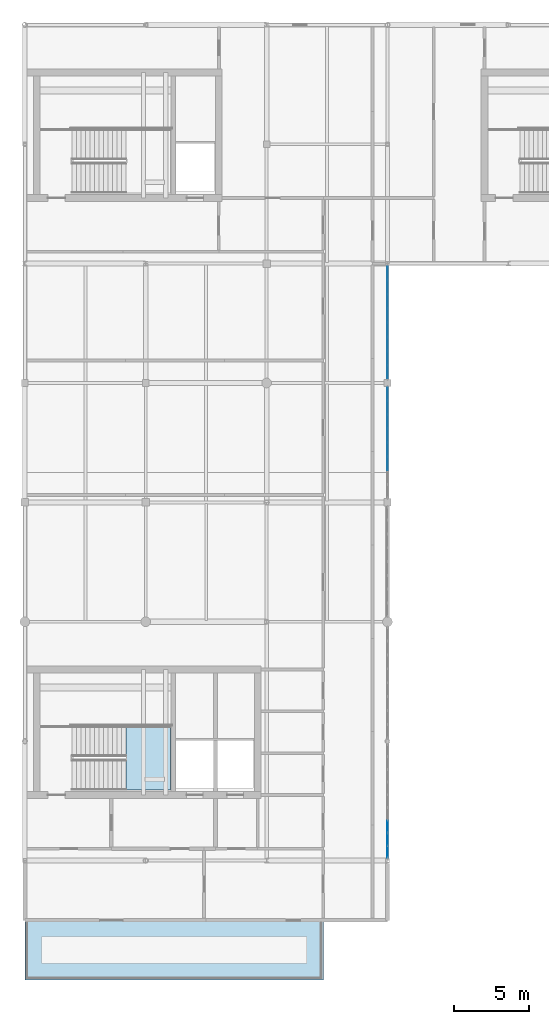
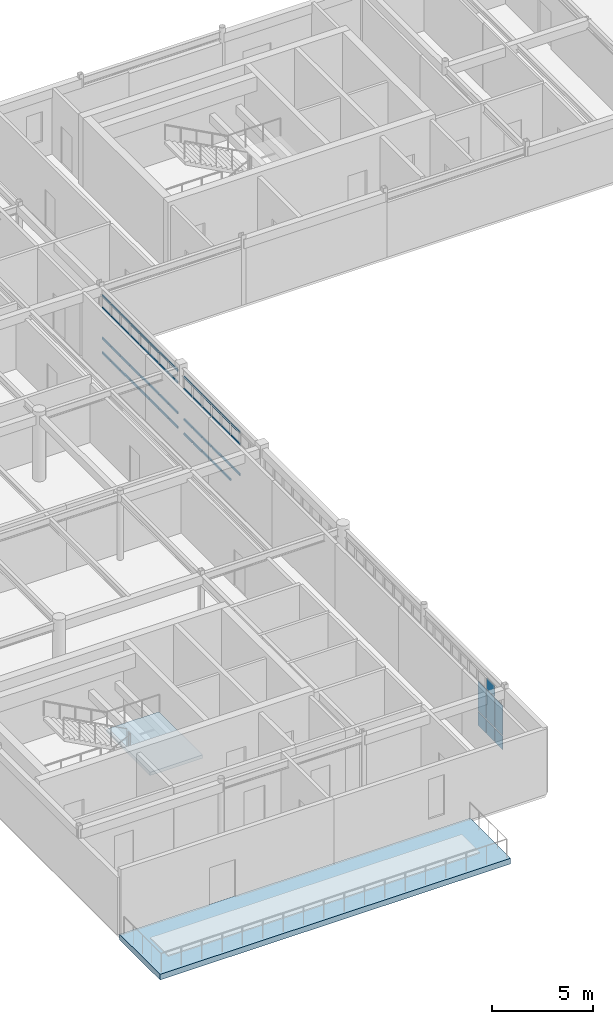
# One storey, part 8 of 18: 55 members, 7 plates, 2 slabs, 4 elements without a shape of their own.
"""IFC4 building model written with IfcOpenShell, lengths in metres."""

from ifc_helpers import new_model, si_unit, direction, frame, origin, origin_2d, place, context, subcontext, project, spatial, polyline, rectangle, outline, extrude, material, layer, layer_set, material_profile, profile_set, type_object, element, aggregate, save


model = new_model("IFC4")

# Units and contexts
model_context = context("Model", 3, precision=1e-05, world=origin(), true_north=direction((0.0, 1.0)))
body_context = subcontext(model_context, "Body", "Model", "MODEL_VIEW")
ifc_project = project(units=[si_unit("LENGTHUNIT", "METRE"), si_unit("AREAUNIT", "SQUARE_METRE"), si_unit("VOLUMEUNIT", "CUBIC_METRE"), si_unit("PLANEANGLEUNIT", "RADIAN"), si_unit("MASSUNIT", "GRAM", prefix="KILO")], contexts=[model_context])

# Site, building, storey
site_placement = place(None, origin())
site = spatial("IfcSite", under=ifc_project, at=site_placement, CompositionType="ELEMENT")
building_placement = place(site_placement, origin())
building = spatial("IfcBuilding", under=site, at=building_placement, Name="Tarnveldt Square Police Headquarters", CompositionType="ELEMENT")
storey_placement = place(building_placement, frame((0.0, 0.0, 29.10009765625)))
storey = spatial("IfcBuildingStorey", under=building, at=storey_placement, Name="L06", CompositionType="ELEMENT", Elevation=29.10009765625)

# Curtain wall, members
ifc_material_1 = material(Name="Triple-glazed low-e laminated vision glass", Category="glass")
curtain_wall_type_1 = type_object("IfcCurtainWallType", Name="CW-UP-750x349", PredefinedType="USERDEFINED", material=ifc_material_1)
curtain_wall_1_placement = place(storey_placement, origin())
curtain_wall_1 = element("IfcCurtainWall", 1, at=curtain_wall_1_placement, inside=storey, type_object=curtain_wall_type_1, Name="L06 Curtain Wall CW-L06-092", ObjectType="GLAZED CURTAIN WALL", PredefinedType="USERDEFINED")
ifc_material_2 = material(Name="Thermally broken anodised aluminium 6063-T6", Category="aluminium")
ifc_material_profile = material_profile(ifc_material_2, rectangle(XDim=0.06494140625, YDim=0.1201171875, at=origin_2d()), Name="CW-T65x120")
ifc_profile_set = profile_set([ifc_material_profile], Name="Thermally broken anodised aluminium 6063-T6")
member_type = type_object("IfcMemberType", Name="CWT-65x120", PredefinedType="USERDEFINED", material=ifc_profile_set)
member_1_placement = place(storey_placement, frame((40.5, 82.171142578125, 0.89990234375), z_axis=(0.0, 1.0, 0.0), x_axis=(-1.0, 0.0, 0.0)))
member_1 = element("IfcMember", 2, at=member_1_placement, type_object=member_type, Name="CW-UP49 transom 3.2", ObjectType="TRANSOM", PredefinedType="USERDEFINED", context=body_context, shape_type="SweptSolid", body=[
    extrude(rectangle(XDim=0.06494140625, YDim=0.1201171875, at=origin_2d()), origin(), (0.0, 0.0, 1.0), 0.8720703125),
])
member_2_placement = place(storey_placement, frame((40.5, 82.171142578125, 2.739013671875), z_axis=(0.0, 1.0, 0.0), x_axis=(-1.0, 0.0, 0.0)))
member_2 = element("IfcMember", 3, at=member_2_placement, type_object=member_type, Name="CW-UP49 transom 3.3", ObjectType="TRANSOM", PredefinedType="USERDEFINED", context=body_context, shape_type="SweptSolid", body=[
    extrude(rectangle(XDim=0.06494140625, YDim=0.1201171875, at=origin_2d()), origin(), (0.0, 0.0, 1.0), 0.8720703125),
])
member_3_placement = place(storey_placement, frame((40.5, 82.171142578125, 3.456298828125), z_axis=(0.0, 1.0, 0.0), x_axis=(-1.0, 0.0, 0.0)))
member_3 = element("IfcMember", 4, at=member_3_placement, type_object=member_type, Name="CW-UP49 transom 3.4", ObjectType="TRANSOM", PredefinedType="USERDEFINED", context=body_context, shape_type="SweptSolid", body=[
    extrude(rectangle(XDim=0.06494140625, YDim=0.1201171875, at=origin_2d()), origin(), (0.0, 0.0, 1.0), 0.8720703125),
])
member_4_placement = place(storey_placement, frame((40.5, 83.108154296875, 0.032470703125), z_axis=(0.0, 1.0, 0.0), x_axis=(-1.0, 0.0, 0.0)))
member_4 = element("IfcMember", 5, at=member_4_placement, type_object=member_type, Name="CW-UP49 transom 4.1", ObjectType="TRANSOM", PredefinedType="USERDEFINED", context=body_context, shape_type="SweptSolid", body=[
    extrude(rectangle(XDim=0.06494140625, YDim=0.1201171875, at=origin_2d()), origin(), (0.0, 0.0, 1.0), 0.871826171875),
])
member_5_placement = place(storey_placement, frame((40.5, 83.108154296875, 0.89990234375), z_axis=(0.0, 1.0, 0.0), x_axis=(-1.0, 0.0, 0.0)))
member_5 = element("IfcMember", 6, at=member_5_placement, type_object=member_type, Name="CW-UP49 transom 4.2", ObjectType="TRANSOM", PredefinedType="USERDEFINED", context=body_context, shape_type="SweptSolid", body=[
    extrude(rectangle(XDim=0.06494140625, YDim=0.1201171875, at=origin_2d()), origin(), (0.0, 0.0, 1.0), 0.871826171875),
])
member_6_placement = place(storey_placement, frame((40.5, 83.108154296875, 2.739013671875), z_axis=(0.0, 1.0, 0.0), x_axis=(-1.0, 0.0, 0.0)))
member_6 = element("IfcMember", 7, at=member_6_placement, type_object=member_type, Name="CW-UP49 transom 4.3", ObjectType="TRANSOM", PredefinedType="USERDEFINED", context=body_context, shape_type="SweptSolid", body=[
    extrude(rectangle(XDim=0.06494140625, YDim=0.1201171875, at=origin_2d()), origin(), (0.0, 0.0, 1.0), 0.871826171875),
])
member_7_placement = place(storey_placement, frame((40.5, 83.108154296875, 3.456298828125), z_axis=(0.0, 1.0, 0.0), x_axis=(-1.0, 0.0, 0.0)))
member_7 = element("IfcMember", 8, at=member_7_placement, type_object=member_type, Name="CW-UP49 transom 4.4", ObjectType="TRANSOM", PredefinedType="USERDEFINED", context=body_context, shape_type="SweptSolid", body=[
    extrude(rectangle(XDim=0.06494140625, YDim=0.1201171875, at=origin_2d()), origin(), (0.0, 0.0, 1.0), 0.871826171875),
])
member_8_placement = place(storey_placement, frame((40.5, 84.044921875, 0.032470703125), z_axis=(0.0, 1.0, 0.0), x_axis=(-1.0, 0.0, 0.0)))
member_8 = element("IfcMember", 9, at=member_8_placement, type_object=member_type, Name="CW-UP49 transom 5.1", ObjectType="TRANSOM", PredefinedType="USERDEFINED", context=body_context, shape_type="SweptSolid", body=[
    extrude(rectangle(XDim=0.06494140625, YDim=0.1201171875, at=origin_2d()), origin(), (0.0, 0.0, 1.0), 0.8720703125),
])
member_9_placement = place(storey_placement, frame((40.5, 84.044921875, 0.89990234375), z_axis=(0.0, 1.0, 0.0), x_axis=(-1.0, 0.0, 0.0)))
member_9 = element("IfcMember", 10, at=member_9_placement, type_object=member_type, Name="CW-UP49 transom 5.2", ObjectType="TRANSOM", PredefinedType="USERDEFINED", context=body_context, shape_type="SweptSolid", body=[
    extrude(rectangle(XDim=0.06494140625, YDim=0.1201171875, at=origin_2d()), origin(), (0.0, 0.0, 1.0), 0.8720703125),
])
member_10_placement = place(storey_placement, frame((40.5, 84.044921875, 2.739013671875), z_axis=(0.0, 1.0, 0.0), x_axis=(-1.0, 0.0, 0.0)))
member_10 = element("IfcMember", 11, at=member_10_placement, type_object=member_type, Name="CW-UP49 transom 5.3", ObjectType="TRANSOM", PredefinedType="USERDEFINED", context=body_context, shape_type="SweptSolid", body=[
    extrude(rectangle(XDim=0.06494140625, YDim=0.1201171875, at=origin_2d()), origin(), (0.0, 0.0, 1.0), 0.8720703125),
])
member_11_placement = place(storey_placement, frame((40.5, 84.044921875, 3.456298828125), z_axis=(0.0, 1.0, 0.0), x_axis=(-1.0, 0.0, 0.0)))
member_11 = element("IfcMember", 12, at=member_11_placement, type_object=member_type, Name="CW-UP49 transom 5.4", ObjectType="TRANSOM", PredefinedType="USERDEFINED", context=body_context, shape_type="SweptSolid", body=[
    extrude(rectangle(XDim=0.06494140625, YDim=0.1201171875, at=origin_2d()), origin(), (0.0, 0.0, 1.0), 0.8720703125),
])
member_12_placement = place(storey_placement, frame((40.5, 84.98193359375, 0.032470703125), z_axis=(0.0, 1.0, 0.0), x_axis=(-1.0, 0.0, 0.0)))
member_12 = element("IfcMember", 13, at=member_12_placement, type_object=member_type, Name="CW-UP49 transom 6.1", ObjectType="TRANSOM", PredefinedType="USERDEFINED", context=body_context, shape_type="SweptSolid", body=[
    extrude(rectangle(XDim=0.06494140625, YDim=0.1201171875, at=origin_2d()), origin(), (0.0, 0.0, 1.0), 0.871826171875),
])
member_13_placement = place(storey_placement, frame((40.5, 84.98193359375, 0.89990234375), z_axis=(0.0, 1.0, 0.0), x_axis=(-1.0, 0.0, 0.0)))
member_13 = element("IfcMember", 14, at=member_13_placement, type_object=member_type, Name="CW-UP49 transom 6.2", ObjectType="TRANSOM", PredefinedType="USERDEFINED", context=body_context, shape_type="SweptSolid", body=[
    extrude(rectangle(XDim=0.06494140625, YDim=0.1201171875, at=origin_2d()), origin(), (0.0, 0.0, 1.0), 0.871826171875),
])
member_14_placement = place(storey_placement, frame((40.5, 84.98193359375, 2.739013671875), z_axis=(0.0, 1.0, 0.0), x_axis=(-1.0, 0.0, 0.0)))
member_14 = element("IfcMember", 15, at=member_14_placement, type_object=member_type, Name="CW-UP49 transom 6.3", ObjectType="TRANSOM", PredefinedType="USERDEFINED", context=body_context, shape_type="SweptSolid", body=[
    extrude(rectangle(XDim=0.06494140625, YDim=0.1201171875, at=origin_2d()), origin(), (0.0, 0.0, 1.0), 0.871826171875),
])
member_15_placement = place(storey_placement, frame((40.5, 84.98193359375, 3.456298828125), z_axis=(0.0, 1.0, 0.0), x_axis=(-1.0, 0.0, 0.0)))
member_15 = element("IfcMember", 16, at=member_15_placement, type_object=member_type, Name="CW-UP49 transom 6.4", ObjectType="TRANSOM", PredefinedType="USERDEFINED", context=body_context, shape_type="SweptSolid", body=[
    extrude(rectangle(XDim=0.06494140625, YDim=0.1201171875, at=origin_2d()), origin(), (0.0, 0.0, 1.0), 0.871826171875),
])
member_16_placement = place(storey_placement, frame((40.5, 85.918701171875, 0.032470703125), z_axis=(0.0, 1.0, 0.0), x_axis=(-1.0, 0.0, 0.0)))
member_16 = element("IfcMember", 17, at=member_16_placement, type_object=member_type, Name="CW-UP49 transom 7.1", ObjectType="TRANSOM", PredefinedType="USERDEFINED", context=body_context, shape_type="SweptSolid", body=[
    extrude(rectangle(XDim=0.06494140625, YDim=0.1201171875, at=origin_2d()), origin(), (0.0, 0.0, 1.0), 0.871826171875),
])
member_17_placement = place(storey_placement, frame((40.5, 85.918701171875, 0.89990234375), z_axis=(0.0, 1.0, 0.0), x_axis=(-1.0, 0.0, 0.0)))
member_17 = element("IfcMember", 18, at=member_17_placement, type_object=member_type, Name="CW-UP49 transom 7.2", ObjectType="TRANSOM", PredefinedType="USERDEFINED", context=body_context, shape_type="SweptSolid", body=[
    extrude(rectangle(XDim=0.06494140625, YDim=0.1201171875, at=origin_2d()), origin(), (0.0, 0.0, 1.0), 0.871826171875),
])
member_18_placement = place(storey_placement, frame((40.5, 85.918701171875, 2.739013671875), z_axis=(0.0, 1.0, 0.0), x_axis=(-1.0, 0.0, 0.0)))
member_18 = element("IfcMember", 19, at=member_18_placement, type_object=member_type, Name="CW-UP49 transom 7.3", ObjectType="TRANSOM", PredefinedType="USERDEFINED", context=body_context, shape_type="SweptSolid", body=[
    extrude(rectangle(XDim=0.06494140625, YDim=0.1201171875, at=origin_2d()), origin(), (0.0, 0.0, 1.0), 0.871826171875),
])
member_19_placement = place(storey_placement, frame((40.5, 85.918701171875, 3.456298828125), z_axis=(0.0, 1.0, 0.0), x_axis=(-1.0, 0.0, 0.0)))
member_19 = element("IfcMember", 20, at=member_19_placement, type_object=member_type, Name="CW-UP49 transom 7.4", ObjectType="TRANSOM", PredefinedType="USERDEFINED", context=body_context, shape_type="SweptSolid", body=[
    extrude(rectangle(XDim=0.06494140625, YDim=0.1201171875, at=origin_2d()), origin(), (0.0, 0.0, 1.0), 0.871826171875),
])
member_20_placement = place(storey_placement, frame((40.5, 86.855712890625, 0.032470703125), z_axis=(0.0, 1.0, 0.0), x_axis=(-1.0, 0.0, 0.0)))
member_20 = element("IfcMember", 21, at=member_20_placement, type_object=member_type, Name="CW-UP49 transom 8.1", ObjectType="TRANSOM", PredefinedType="USERDEFINED", context=body_context, shape_type="SweptSolid", body=[
    extrude(rectangle(XDim=0.06494140625, YDim=0.1201171875, at=origin_2d()), origin(), (0.0, 0.0, 1.0), 0.83935546875),
])
member_21_placement = place(storey_placement, frame((40.5, 86.855712890625, 0.89990234375), z_axis=(0.0, 1.0, 0.0), x_axis=(-1.0, 0.0, 0.0)))
member_21 = element("IfcMember", 22, at=member_21_placement, type_object=member_type, Name="CW-UP49 transom 8.2", ObjectType="TRANSOM", PredefinedType="USERDEFINED", context=body_context, shape_type="SweptSolid", body=[
    extrude(rectangle(XDim=0.06494140625, YDim=0.1201171875, at=origin_2d()), origin(), (0.0, 0.0, 1.0), 0.83935546875),
])
member_22_placement = place(storey_placement, frame((40.5, 86.855712890625, 2.739013671875), z_axis=(0.0, 1.0, 0.0), x_axis=(-1.0, 0.0, 0.0)))
member_22 = element("IfcMember", 23, at=member_22_placement, type_object=member_type, Name="CW-UP49 transom 8.3", ObjectType="TRANSOM", PredefinedType="USERDEFINED", context=body_context, shape_type="SweptSolid", body=[
    extrude(rectangle(XDim=0.06494140625, YDim=0.1201171875, at=origin_2d()), origin(), (0.0, 0.0, 1.0), 0.83935546875),
])
member_23_placement = place(storey_placement, frame((40.5, 86.855712890625, 3.456298828125), z_axis=(0.0, 1.0, 0.0), x_axis=(-1.0, 0.0, 0.0)))
member_23 = element("IfcMember", 24, at=member_23_placement, type_object=member_type, Name="CW-UP49 transom 8.4", ObjectType="TRANSOM", PredefinedType="USERDEFINED", context=body_context, shape_type="SweptSolid", body=[
    extrude(rectangle(XDim=0.06494140625, YDim=0.1201171875, at=origin_2d()), origin(), (0.0, 0.0, 1.0), 0.83935546875),
])
aggregate(curtain_wall_1, [member_1, member_2, member_3, member_4, member_5, member_6, member_7, member_8, member_9, member_10, member_11, member_12, member_13, member_14, member_15, member_16, member_17, member_18, member_19, member_20, member_21, member_22, member_23])

curtain_wall_type_2 = type_object("IfcCurtainWallType", Name="CW-UP-762x349", PredefinedType="USERDEFINED", material=ifc_material_1)
curtain_wall_2_placement = place(storey_placement, origin())
curtain_wall_2 = element("IfcCurtainWall", 25, at=curtain_wall_2_placement, inside=storey, type_object=curtain_wall_type_2, Name="L06 Curtain Wall CW-L06-093", ObjectType="GLAZED CURTAIN WALL", PredefinedType="USERDEFINED")
member_24_placement = place(storey_placement, frame((40.5, 88.304931640625, 0.032470703125), z_axis=(0.0, 1.0, 0.0), x_axis=(-1.0, 0.0, 0.0)))
member_24 = element("IfcMember", 26, at=member_24_placement, type_object=member_type, Name="CW-UP50 transom 1.1", ObjectType="TRANSOM", PredefinedType="USERDEFINED", context=body_context, shape_type="SweptSolid", body=[
    extrude(rectangle(XDim=0.06494140625, YDim=0.1201171875, at=origin_2d()), origin(), (0.0, 0.0, 1.0), 0.8544921875),
])
member_25_placement = place(storey_placement, frame((40.5, 88.304931640625, 0.89990234375), z_axis=(0.0, 1.0, 0.0), x_axis=(-1.0, 0.0, 0.0)))
member_25 = element("IfcMember", 27, at=member_25_placement, type_object=member_type, Name="CW-UP50 transom 1.2", ObjectType="TRANSOM", PredefinedType="USERDEFINED", context=body_context, shape_type="SweptSolid", body=[
    extrude(rectangle(XDim=0.06494140625, YDim=0.1201171875, at=origin_2d()), origin(), (0.0, 0.0, 1.0), 0.8544921875),
])
member_26_placement = place(storey_placement, frame((40.5, 88.304931640625, 2.739013671875), z_axis=(0.0, 1.0, 0.0), x_axis=(-1.0, 0.0, 0.0)))
member_26 = element("IfcMember", 28, at=member_26_placement, type_object=member_type, Name="CW-UP50 transom 1.3", ObjectType="TRANSOM", PredefinedType="USERDEFINED", context=body_context, shape_type="SweptSolid", body=[
    extrude(rectangle(XDim=0.06494140625, YDim=0.1201171875, at=origin_2d()), origin(), (0.0, 0.0, 1.0), 0.8544921875),
])
member_27_placement = place(storey_placement, frame((40.5, 88.304931640625, 3.456298828125), z_axis=(0.0, 1.0, 0.0), x_axis=(-1.0, 0.0, 0.0)))
member_27 = element("IfcMember", 29, at=member_27_placement, type_object=member_type, Name="CW-UP50 transom 1.4", ObjectType="TRANSOM", PredefinedType="USERDEFINED", context=body_context, shape_type="SweptSolid", body=[
    extrude(rectangle(XDim=0.06494140625, YDim=0.1201171875, at=origin_2d()), origin(), (0.0, 0.0, 1.0), 0.8544921875),
])
member_28_placement = place(storey_placement, frame((40.5, 89.224365234375, 0.032470703125), z_axis=(0.0, 1.0, 0.0), x_axis=(-1.0, 0.0, 0.0)))
member_28 = element("IfcMember", 30, at=member_28_placement, type_object=member_type, Name="CW-UP50 transom 2.1", ObjectType="TRANSOM", PredefinedType="USERDEFINED", context=body_context, shape_type="SweptSolid", body=[
    extrude(rectangle(XDim=0.06494140625, YDim=0.1201171875, at=origin_2d()), origin(), (0.0, 0.0, 1.0), 0.886962890625),
])
member_29_placement = place(storey_placement, frame((40.5, 89.224365234375, 0.89990234375), z_axis=(0.0, 1.0, 0.0), x_axis=(-1.0, 0.0, 0.0)))
member_29 = element("IfcMember", 31, at=member_29_placement, type_object=member_type, Name="CW-UP50 transom 2.2", ObjectType="TRANSOM", PredefinedType="USERDEFINED", context=body_context, shape_type="SweptSolid", body=[
    extrude(rectangle(XDim=0.06494140625, YDim=0.1201171875, at=origin_2d()), origin(), (0.0, 0.0, 1.0), 0.886962890625),
])
member_30_placement = place(storey_placement, frame((40.5, 89.224365234375, 2.739013671875), z_axis=(0.0, 1.0, 0.0), x_axis=(-1.0, 0.0, 0.0)))
member_30 = element("IfcMember", 32, at=member_30_placement, type_object=member_type, Name="CW-UP50 transom 2.3", ObjectType="TRANSOM", PredefinedType="USERDEFINED", context=body_context, shape_type="SweptSolid", body=[
    extrude(rectangle(XDim=0.06494140625, YDim=0.1201171875, at=origin_2d()), origin(), (0.0, 0.0, 1.0), 0.886962890625),
])
member_31_placement = place(storey_placement, frame((40.5, 89.224365234375, 3.456298828125), z_axis=(0.0, 1.0, 0.0), x_axis=(-1.0, 0.0, 0.0)))
member_31 = element("IfcMember", 33, at=member_31_placement, type_object=member_type, Name="CW-UP50 transom 2.4", ObjectType="TRANSOM", PredefinedType="USERDEFINED", context=body_context, shape_type="SweptSolid", body=[
    extrude(rectangle(XDim=0.06494140625, YDim=0.1201171875, at=origin_2d()), origin(), (0.0, 0.0, 1.0), 0.886962890625),
])
member_32_placement = place(storey_placement, frame((40.5, 90.17626953125, 0.032470703125), z_axis=(0.0, 1.0, 0.0), x_axis=(-1.0, 0.0, 0.0)))
member_32 = element("IfcMember", 34, at=member_32_placement, type_object=member_type, Name="CW-UP50 transom 3.1", ObjectType="TRANSOM", PredefinedType="USERDEFINED", context=body_context, shape_type="SweptSolid", body=[
    extrude(rectangle(XDim=0.06494140625, YDim=0.1201171875, at=origin_2d()), origin(), (0.0, 0.0, 1.0), 0.886962890625),
])
member_33_placement = place(storey_placement, frame((40.5, 90.17626953125, 0.89990234375), z_axis=(0.0, 1.0, 0.0), x_axis=(-1.0, 0.0, 0.0)))
member_33 = element("IfcMember", 35, at=member_33_placement, type_object=member_type, Name="CW-UP50 transom 3.2", ObjectType="TRANSOM", PredefinedType="USERDEFINED", context=body_context, shape_type="SweptSolid", body=[
    extrude(rectangle(XDim=0.06494140625, YDim=0.1201171875, at=origin_2d()), origin(), (0.0, 0.0, 1.0), 0.886962890625),
])
member_34_placement = place(storey_placement, frame((40.5, 90.17626953125, 2.739013671875), z_axis=(0.0, 1.0, 0.0), x_axis=(-1.0, 0.0, 0.0)))
member_34 = element("IfcMember", 36, at=member_34_placement, type_object=member_type, Name="CW-UP50 transom 3.3", ObjectType="TRANSOM", PredefinedType="USERDEFINED", context=body_context, shape_type="SweptSolid", body=[
    extrude(rectangle(XDim=0.06494140625, YDim=0.1201171875, at=origin_2d()), origin(), (0.0, 0.0, 1.0), 0.886962890625),
])
member_35_placement = place(storey_placement, frame((40.5, 90.17626953125, 3.456298828125), z_axis=(0.0, 1.0, 0.0), x_axis=(-1.0, 0.0, 0.0)))
member_35 = element("IfcMember", 37, at=member_35_placement, type_object=member_type, Name="CW-UP50 transom 3.4", ObjectType="TRANSOM", PredefinedType="USERDEFINED", context=body_context, shape_type="SweptSolid", body=[
    extrude(rectangle(XDim=0.06494140625, YDim=0.1201171875, at=origin_2d()), origin(), (0.0, 0.0, 1.0), 0.886962890625),
])
member_36_placement = place(storey_placement, frame((40.5, 91.128173828125, 0.032470703125), z_axis=(0.0, 1.0, 0.0), x_axis=(-1.0, 0.0, 0.0)))
member_36 = element("IfcMember", 38, at=member_36_placement, type_object=member_type, Name="CW-UP50 transom 4.1", ObjectType="TRANSOM", PredefinedType="USERDEFINED", context=body_context, shape_type="SweptSolid", body=[
    extrude(rectangle(XDim=0.06494140625, YDim=0.1201171875, at=origin_2d()), origin(), (0.0, 0.0, 1.0), 0.88671875),
])
member_37_placement = place(storey_placement, frame((40.5, 91.128173828125, 0.89990234375), z_axis=(0.0, 1.0, 0.0), x_axis=(-1.0, 0.0, 0.0)))
member_37 = element("IfcMember", 39, at=member_37_placement, type_object=member_type, Name="CW-UP50 transom 4.2", ObjectType="TRANSOM", PredefinedType="USERDEFINED", context=body_context, shape_type="SweptSolid", body=[
    extrude(rectangle(XDim=0.06494140625, YDim=0.1201171875, at=origin_2d()), origin(), (0.0, 0.0, 1.0), 0.88671875),
])
member_38_placement = place(storey_placement, frame((40.5, 91.128173828125, 2.739013671875), z_axis=(0.0, 1.0, 0.0), x_axis=(-1.0, 0.0, 0.0)))
member_38 = element("IfcMember", 40, at=member_38_placement, type_object=member_type, Name="CW-UP50 transom 4.3", ObjectType="TRANSOM", PredefinedType="USERDEFINED", context=body_context, shape_type="SweptSolid", body=[
    extrude(rectangle(XDim=0.06494140625, YDim=0.1201171875, at=origin_2d()), origin(), (0.0, 0.0, 1.0), 0.88671875),
])
member_39_placement = place(storey_placement, frame((40.5, 91.128173828125, 3.456298828125), z_axis=(0.0, 1.0, 0.0), x_axis=(-1.0, 0.0, 0.0)))
member_39 = element("IfcMember", 41, at=member_39_placement, type_object=member_type, Name="CW-UP50 transom 4.4", ObjectType="TRANSOM", PredefinedType="USERDEFINED", context=body_context, shape_type="SweptSolid", body=[
    extrude(rectangle(XDim=0.06494140625, YDim=0.1201171875, at=origin_2d()), origin(), (0.0, 0.0, 1.0), 0.88671875),
])
member_40_placement = place(storey_placement, frame((40.5, 92.080078125, 0.032470703125), z_axis=(0.0, 1.0, 0.0), x_axis=(-1.0, 0.0, 0.0)))
member_40 = element("IfcMember", 42, at=member_40_placement, type_object=member_type, Name="CW-UP50 transom 5.1", ObjectType="TRANSOM", PredefinedType="USERDEFINED", context=body_context, shape_type="SweptSolid", body=[
    extrude(rectangle(XDim=0.06494140625, YDim=0.1201171875, at=origin_2d()), origin(), (0.0, 0.0, 1.0), 0.88671875),
])
member_41_placement = place(storey_placement, frame((40.5, 92.080078125, 0.89990234375), z_axis=(0.0, 1.0, 0.0), x_axis=(-1.0, 0.0, 0.0)))
member_41 = element("IfcMember", 43, at=member_41_placement, type_object=member_type, Name="CW-UP50 transom 5.2", ObjectType="TRANSOM", PredefinedType="USERDEFINED", context=body_context, shape_type="SweptSolid", body=[
    extrude(rectangle(XDim=0.06494140625, YDim=0.1201171875, at=origin_2d()), origin(), (0.0, 0.0, 1.0), 0.88671875),
])
member_42_placement = place(storey_placement, frame((40.5, 92.080078125, 2.739013671875), z_axis=(0.0, 1.0, 0.0), x_axis=(-1.0, 0.0, 0.0)))
member_42 = element("IfcMember", 44, at=member_42_placement, type_object=member_type, Name="CW-UP50 transom 5.3", ObjectType="TRANSOM", PredefinedType="USERDEFINED", context=body_context, shape_type="SweptSolid", body=[
    extrude(rectangle(XDim=0.06494140625, YDim=0.1201171875, at=origin_2d()), origin(), (0.0, 0.0, 1.0), 0.88671875),
])
member_43_placement = place(storey_placement, frame((40.5, 92.080078125, 3.456298828125), z_axis=(0.0, 1.0, 0.0), x_axis=(-1.0, 0.0, 0.0)))
member_43 = element("IfcMember", 45, at=member_43_placement, type_object=member_type, Name="CW-UP50 transom 5.4", ObjectType="TRANSOM", PredefinedType="USERDEFINED", context=body_context, shape_type="SweptSolid", body=[
    extrude(rectangle(XDim=0.06494140625, YDim=0.1201171875, at=origin_2d()), origin(), (0.0, 0.0, 1.0), 0.88671875),
])
member_44_placement = place(storey_placement, frame((40.5, 93.031982421875, 0.032470703125), z_axis=(0.0, 1.0, 0.0), x_axis=(-1.0, 0.0, 0.0)))
member_44 = element("IfcMember", 46, at=member_44_placement, type_object=member_type, Name="CW-UP50 transom 6.1", ObjectType="TRANSOM", PredefinedType="USERDEFINED", context=body_context, shape_type="SweptSolid", body=[
    extrude(rectangle(XDim=0.06494140625, YDim=0.1201171875, at=origin_2d()), origin(), (0.0, 0.0, 1.0), 0.88671875),
])
member_45_placement = place(storey_placement, frame((40.5, 93.031982421875, 0.89990234375), z_axis=(0.0, 1.0, 0.0), x_axis=(-1.0, 0.0, 0.0)))
member_45 = element("IfcMember", 47, at=member_45_placement, type_object=member_type, Name="CW-UP50 transom 6.2", ObjectType="TRANSOM", PredefinedType="USERDEFINED", context=body_context, shape_type="SweptSolid", body=[
    extrude(rectangle(XDim=0.06494140625, YDim=0.1201171875, at=origin_2d()), origin(), (0.0, 0.0, 1.0), 0.88671875),
])
member_46_placement = place(storey_placement, frame((40.5, 93.031982421875, 2.739013671875), z_axis=(0.0, 1.0, 0.0), x_axis=(-1.0, 0.0, 0.0)))
member_46 = element("IfcMember", 48, at=member_46_placement, type_object=member_type, Name="CW-UP50 transom 6.3", ObjectType="TRANSOM", PredefinedType="USERDEFINED", context=body_context, shape_type="SweptSolid", body=[
    extrude(rectangle(XDim=0.06494140625, YDim=0.1201171875, at=origin_2d()), origin(), (0.0, 0.0, 1.0), 0.88671875),
])
member_47_placement = place(storey_placement, frame((40.5, 93.031982421875, 3.456298828125), z_axis=(0.0, 1.0, 0.0), x_axis=(-1.0, 0.0, 0.0)))
member_47 = element("IfcMember", 49, at=member_47_placement, type_object=member_type, Name="CW-UP50 transom 6.4", ObjectType="TRANSOM", PredefinedType="USERDEFINED", context=body_context, shape_type="SweptSolid", body=[
    extrude(rectangle(XDim=0.06494140625, YDim=0.1201171875, at=origin_2d()), origin(), (0.0, 0.0, 1.0), 0.88671875),
])
member_48_placement = place(storey_placement, frame((40.5, 93.983642578125, 0.032470703125), z_axis=(0.0, 1.0, 0.0), x_axis=(-1.0, 0.0, 0.0)))
member_48 = element("IfcMember", 50, at=member_48_placement, type_object=member_type, Name="CW-UP50 transom 7.1", ObjectType="TRANSOM", PredefinedType="USERDEFINED", context=body_context, shape_type="SweptSolid", body=[
    extrude(rectangle(XDim=0.06494140625, YDim=0.1201171875, at=origin_2d()), origin(), (0.0, 0.0, 1.0), 0.886962890625),
])
member_49_placement = place(storey_placement, frame((40.5, 93.983642578125, 0.89990234375), z_axis=(0.0, 1.0, 0.0), x_axis=(-1.0, 0.0, 0.0)))
member_49 = element("IfcMember", 51, at=member_49_placement, type_object=member_type, Name="CW-UP50 transom 7.2", ObjectType="TRANSOM", PredefinedType="USERDEFINED", context=body_context, shape_type="SweptSolid", body=[
    extrude(rectangle(XDim=0.06494140625, YDim=0.1201171875, at=origin_2d()), origin(), (0.0, 0.0, 1.0), 0.886962890625),
])
member_50_placement = place(storey_placement, frame((40.5, 93.983642578125, 2.739013671875), z_axis=(0.0, 1.0, 0.0), x_axis=(-1.0, 0.0, 0.0)))
member_50 = element("IfcMember", 52, at=member_50_placement, type_object=member_type, Name="CW-UP50 transom 7.3", ObjectType="TRANSOM", PredefinedType="USERDEFINED", context=body_context, shape_type="SweptSolid", body=[
    extrude(rectangle(XDim=0.06494140625, YDim=0.1201171875, at=origin_2d()), origin(), (0.0, 0.0, 1.0), 0.886962890625),
])
member_51_placement = place(storey_placement, frame((40.5, 93.983642578125, 3.456298828125), z_axis=(0.0, 1.0, 0.0), x_axis=(-1.0, 0.0, 0.0)))
member_51 = element("IfcMember", 53, at=member_51_placement, type_object=member_type, Name="CW-UP50 transom 7.4", ObjectType="TRANSOM", PredefinedType="USERDEFINED", context=body_context, shape_type="SweptSolid", body=[
    extrude(rectangle(XDim=0.06494140625, YDim=0.1201171875, at=origin_2d()), origin(), (0.0, 0.0, 1.0), 0.886962890625),
])
member_52_placement = place(storey_placement, frame((40.5, 94.935546875, 0.032470703125), z_axis=(0.0, 1.0, 0.0), x_axis=(-1.0, 0.0, 0.0)))
member_52 = element("IfcMember", 54, at=member_52_placement, type_object=member_type, Name="CW-UP50 transom 8.1", ObjectType="TRANSOM", PredefinedType="USERDEFINED", context=body_context, shape_type="SweptSolid", body=[
    extrude(rectangle(XDim=0.06494140625, YDim=0.1201171875, at=origin_2d()), origin(), (0.0, 0.0, 1.0), 0.8544921875),
])
member_53_placement = place(storey_placement, frame((40.5, 94.935546875, 0.89990234375), z_axis=(0.0, 1.0, 0.0), x_axis=(-1.0, 0.0, 0.0)))
member_53 = element("IfcMember", 55, at=member_53_placement, type_object=member_type, Name="CW-UP50 transom 8.2", ObjectType="TRANSOM", PredefinedType="USERDEFINED", context=body_context, shape_type="SweptSolid", body=[
    extrude(rectangle(XDim=0.06494140625, YDim=0.1201171875, at=origin_2d()), origin(), (0.0, 0.0, 1.0), 0.8544921875),
])
member_54_placement = place(storey_placement, frame((40.5, 94.935546875, 2.739013671875), z_axis=(0.0, 1.0, 0.0), x_axis=(-1.0, 0.0, 0.0)))
member_54 = element("IfcMember", 56, at=member_54_placement, type_object=member_type, Name="CW-UP50 transom 8.3", ObjectType="TRANSOM", PredefinedType="USERDEFINED", context=body_context, shape_type="SweptSolid", body=[
    extrude(rectangle(XDim=0.06494140625, YDim=0.1201171875, at=origin_2d()), origin(), (0.0, 0.0, 1.0), 0.8544921875),
])
member_55_placement = place(storey_placement, frame((40.5, 94.935546875, 3.456298828125), z_axis=(0.0, 1.0, 0.0), x_axis=(-1.0, 0.0, 0.0)))
member_55 = element("IfcMember", 57, at=member_55_placement, type_object=member_type, Name="CW-UP50 transom 8.4", ObjectType="TRANSOM", PredefinedType="USERDEFINED", context=body_context, shape_type="SweptSolid", body=[
    extrude(rectangle(XDim=0.06494140625, YDim=0.1201171875, at=origin_2d()), origin(), (0.0, 0.0, 1.0), 0.8544921875),
])
aggregate(curtain_wall_2, [member_24, member_25, member_26, member_27, member_28, member_29, member_30, member_31, member_32, member_33, member_34, member_35, member_36, member_37, member_38, member_39, member_40, member_41, member_42, member_43, member_44, member_45, member_46, member_47, member_48, member_49, member_50, member_51, member_52, member_53, member_54, member_55])

# Curtain wall, plates
curtain_wall_type_3 = type_object("IfcCurtainWallType", Name="CW-UP-768x349", PredefinedType="USERDEFINED", material=ifc_material_1)
curtain_wall_3_placement = place(storey_placement, origin())
curtain_wall_3 = element("IfcCurtainWall", 58, at=curtain_wall_3_placement, inside=storey, type_object=curtain_wall_type_3, Name="L06 Curtain Wall CW-L06-089", ObjectType="GLAZED CURTAIN WALL", PredefinedType="USERDEFINED")
ifc_layer_1 = layer(ifc_material_1, 0.028076171875)
ifc_layer_set_1 = layer_set([ifc_layer_1], Name="Triple-glazed low-e laminated vision glass")
plate_type = type_object("IfcPlateType", Name="CWP-VIS-28", PredefinedType="CURTAIN_PANEL", material=ifc_layer_set_1)
plate_1_placement = place(storey_placement, frame((40.5, 56.5849609375, 0.06494140625), z_axis=(0.0, 0.0, 1.0), x_axis=(0.0, 1.0, 0.0)))
plate_1 = element("IfcPlate", 59, at=plate_1_placement, type_object=plate_type, Name="CW-UP47 panel 1.1", PredefinedType="CURTAIN_PANEL", context=body_context, shape_type="SweptSolid", body=[
    extrude(rectangle(XDim=0.755859375, YDim=0.028076171875, at=origin_2d()), origin(), (0.0, 0.0, 1.0), 0.802490234375),
])
plate_2_placement = place(storey_placement, frame((40.5, 56.5849609375, 0.932373046875), z_axis=(0.0, 0.0, 1.0), x_axis=(0.0, 1.0, 0.0)))
plate_2 = element("IfcPlate", 60, at=plate_2_placement, type_object=plate_type, Name="CW-UP47 panel 1.2", PredefinedType="CURTAIN_PANEL", context=body_context, shape_type="SweptSolid", body=[
    extrude(rectangle(XDim=0.755859375, YDim=0.028076171875, at=origin_2d()), origin(), (0.0, 0.0, 1.0), 1.77392578125),
])
plate_3_placement = place(storey_placement, frame((40.5, 57.422119140625, 0.06494140625), z_axis=(0.0, 0.0, 1.0), x_axis=(0.0, 1.0, 0.0)))
plate_3 = element("IfcPlate", 61, at=plate_3_placement, type_object=plate_type, Name="CW-UP47 panel 2.1", PredefinedType="CURTAIN_PANEL", context=body_context, shape_type="SweptSolid", body=[
    extrude(rectangle(XDim=0.788330078125, YDim=0.028076171875, at=origin_2d()), origin(), (0.0, 0.0, 1.0), 0.802490234375),
])
plate_4_placement = place(storey_placement, frame((40.5, 57.422119140625, 0.932373046875), z_axis=(0.0, 0.0, 1.0), x_axis=(0.0, 1.0, 0.0)))
plate_4 = element("IfcPlate", 62, at=plate_4_placement, type_object=plate_type, Name="CW-UP47 panel 2.2", PredefinedType="CURTAIN_PANEL", context=body_context, shape_type="SweptSolid", body=[
    extrude(rectangle(XDim=0.788330078125, YDim=0.028076171875, at=origin_2d()), origin(), (0.0, 0.0, 1.0), 1.77392578125),
])
plate_5_placement = place(storey_placement, frame((40.5, 57.422119140625, 2.771484375), z_axis=(0.0, 0.0, 1.0), x_axis=(0.0, 1.0, 0.0)))
plate_5 = element("IfcPlate", 63, at=plate_5_placement, type_object=plate_type, Name="CW-UP47 panel 2.3", PredefinedType="CURTAIN_PANEL", context=body_context, shape_type="SweptSolid", body=[
    extrude(rectangle(XDim=0.788330078125, YDim=0.028076171875, at=origin_2d()), origin(), (0.0, 0.0, 1.0), 0.652587890625),
])
plate_6_placement = place(storey_placement, frame((40.5, 58.275634765625, 0.06494140625), z_axis=(0.0, 0.0, 1.0), x_axis=(0.0, 1.0, 0.0)))
plate_6 = element("IfcPlate", 64, at=plate_6_placement, type_object=plate_type, Name="CW-UP47 panel 3.1", PredefinedType="CURTAIN_PANEL", context=body_context, shape_type="SweptSolid", body=[
    extrude(rectangle(XDim=0.788330078125, YDim=0.028076171875, at=origin_2d()), origin(), (0.0, 0.0, 1.0), 0.802490234375),
])
plate_7_placement = place(storey_placement, frame((40.5, 58.275634765625, 0.932373046875), z_axis=(0.0, 0.0, 1.0), x_axis=(0.0, 1.0, 0.0)))
plate_7 = element("IfcPlate", 65, at=plate_7_placement, type_object=plate_type, Name="CW-UP47 panel 3.2", PredefinedType="CURTAIN_PANEL", context=body_context, shape_type="SweptSolid", body=[
    extrude(rectangle(XDim=0.788330078125, YDim=0.028076171875, at=origin_2d()), origin(), (0.0, 0.0, 1.0), 1.77392578125),
])
aggregate(curtain_wall_3, [plate_1, plate_2, plate_3, plate_4, plate_5, plate_6, plate_7])

# Stair, slab
ifc_material_3 = material(Name="Concrete 40 MPa", Category="concrete")
stair_type = type_object("IfcStairType", Name="STR-HT-48A", PredefinedType="HALF_TURN_STAIR", material=ifc_material_3)
stair_placement = place(storey_placement, origin())
stair = element("IfcStair", 66, at=stair_placement, inside=storey, type_object=stair_type, Name="L06 Core K1 Exit Stair ST1", PredefinedType="HALF_TURN_STAIR")
ifc_layer_2 = layer(ifc_material_3, 0.179931640625)
ifc_layer_set_2 = layer_set([ifc_layer_2], Name="Concrete 40 MPa")
slab_type_1 = type_object("IfcSlabType", Name="SL-LND-180", PredefinedType="LANDING", material=ifc_layer_set_2)
slab_1_placement = place(storey_placement, frame((0.0, 0.0, 1.89990234375)))
slab_1 = element("IfcSlab", 67, at=slab_1_placement, type_object=slab_type_1, Name="ST1 landing 1", PredefinedType="LANDING", context=body_context, shape_type="SweptSolid", body=[
    extrude(outline(polyline([(22.969970703125, 60.719970703125), (25.969970703125, 60.719970703125), (25.969970703125, 65.02001953125), (22.969970703125, 65.02001953125), (22.969970703125, 60.719970703125)])), origin(), (0.0, 0.0, 1.0), 0.199951171875),
])
aggregate(stair, [slab_1])

# Slab
ifc_layer_3 = layer(ifc_material_3, 0.340087890625)
ifc_layer_set_3 = layer_set([ifc_layer_3], Name="Concrete 40 MPa")
slab_type_2 = type_object("IfcSlabType", Name="SL-TER-340", PredefinedType="ROOF", material=ifc_layer_set_3)
slab_2_placement = place(storey_placement, frame((0.0, 0.0, -0.340087890625)))
element("IfcSlab", 68, at=slab_2_placement, inside=storey, type_object=slab_type_2, Name="Investigation Mid-Rise Setback Terrace", PredefinedType="ROOF", context=body_context, shape_type="SweptSolid", body=[
    extrude(outline(polyline([(36.199951171875, 48.0), (16.199951171875, 48.0), (16.199951171875, 52.0), (36.199951171875, 52.0), (36.199951171875, 48.0)])), origin(), (0.0, 0.0, 1.0), 0.340087890625),
])

save(model, "model.ifc")
